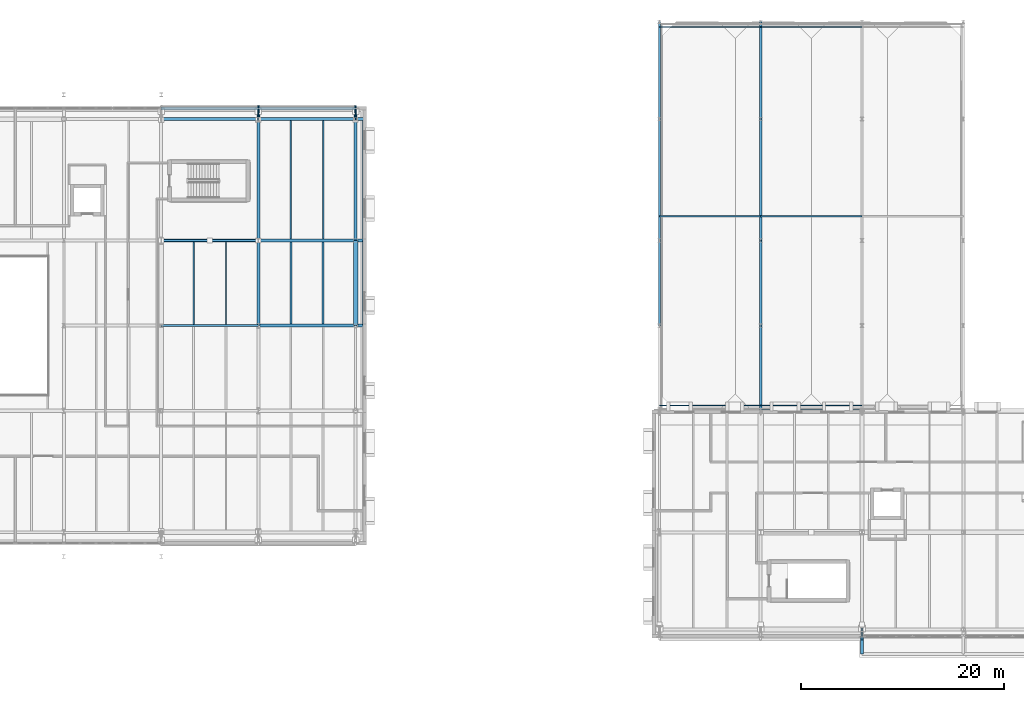
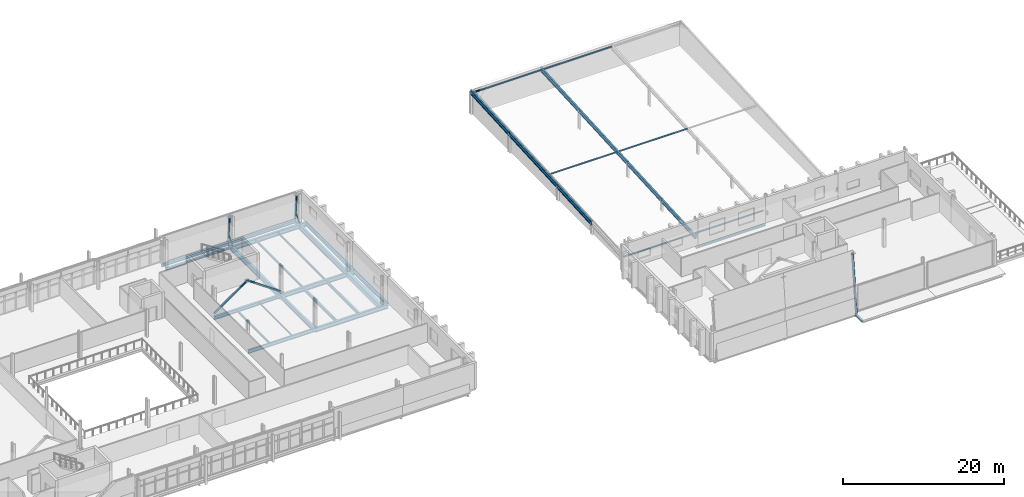
# One storey, part 25 of 57: 29 beams, 13 members.
"""IFC4 building model written with IfcOpenShell, lengths in metres."""

from ifc_helpers import new_model, si_unit, direction, frame, origin, origin_2d, place, context, subcontext, project, spatial, rectangle, hollow_rectangle, i_section, extrude, material, material_profile, profile_set, type_object, element, save


model = new_model("IFC4")

# Units and contexts
model_context = context("Model", 3, precision=1e-05, world=origin(), true_north=direction((0.0, 1.0)))
body_context = subcontext(model_context, "Body", "Model", "MODEL_VIEW")
ifc_project = project(units=[si_unit("LENGTHUNIT", "METRE"), si_unit("AREAUNIT", "SQUARE_METRE"), si_unit("VOLUMEUNIT", "CUBIC_METRE"), si_unit("PLANEANGLEUNIT", "RADIAN"), si_unit("MASSUNIT", "GRAM", prefix="KILO")], contexts=[model_context])

# Site, building, storey
site_placement = place(None, origin())
site = spatial("IfcSite", under=ifc_project, at=site_placement, CompositionType="ELEMENT")
building_placement = place(site_placement, origin())
building = spatial("IfcBuilding", under=site, at=building_placement, Name="Zereglee Splitstone Museum", CompositionType="ELEMENT")
storey_placement = place(building_placement, frame((0.0, 0.0, 17.10009765625)))
storey = spatial("IfcBuildingStorey", under=building, at=storey_placement, Name="L03", CompositionType="ELEMENT", Elevation=17.10009765625)

# Members
ifc_material_1 = material(Name="Steel S355J2H", Category="steel")
ifc_material_profile_1 = material_profile(ifc_material_1, hollow_rectangle(XDim=0.199951171875, YDim=0.199951171875, WallThickness=0.010009765625, at=origin_2d()), Name="SHS 200x200x10")
ifc_profile_set_1 = profile_set([ifc_material_profile_1], Name="Steel S355J2H")
member_type_1 = type_object("IfcMemberType", Name="TB-07", PredefinedType="BRACE", material=ifc_profile_set_1)
for number, where, z_axis, x_axis, name in (
    (1, (126.0, 38.39990234375, 0.119873046875), (0.819226047866, 0.0, 0.573470733776), (0.0, 1.0, 0.0), "Lateral Braced Frame Chevron L03-013A"),
    (2, (135.60009765625, 38.39990234375, 0.119873046875), (-0.819226047866, 0.0, 0.573470733776), (0.0, -1.0, 0.0), "Lateral Braced Frame Chevron L03-013B"),
):
    element("IfcMember", number, at=place(storey_placement, frame(where, z_axis=z_axis, x_axis=x_axis)), inside=storey, type_object=member_type_1, Name=name, PredefinedType="BRACE", context=body_context, shape_type="SweptSolid", body=[
        extrude(hollow_rectangle(XDim=0.199951171875, YDim=0.199951171875, WallThickness=0.010009765625, at=origin_2d()), origin(), (0.0, 0.0, 1.0), 5.859130859375),
    ])

# Beams
ifc_material_2 = material(Name="Steel S355J2", Category="steel")
ifc_material_profile_2 = material_profile(ifc_material_2, i_section(OverallWidth=0.300048828125, OverallDepth=0.5, WebThickness=0.014404296875, FlangeThickness=0.028076171875, FilletRadius=0.027099609375, at=origin_2d()), Name="HE 500 B")
ifc_profile_set_2 = profile_set([ifc_material_profile_2], Name="Steel S355J2")
beam_type_1 = type_object("IfcBeamType", Name="BG-12", PredefinedType="BEAM", material=ifc_profile_set_2)
beam_1_placement = place(storey_placement, frame((126.0, 38.39990234375, -0.530029296875), z_axis=(1.0, 0.0, 0.0), x_axis=(0.0, 1.0, 0.0)))
element("IfcBeam", 3, at=beam_1_placement, inside=storey, type_object=beam_type_1, Name="Primary Girder L03 E (126.0-135.6)", PredefinedType="BEAM", context=body_context, shape_type="SweptSolid", body=[
    extrude(i_section(OverallWidth=0.300048828125, OverallDepth=0.5, WebThickness=0.014404296875, FlangeThickness=0.028076171875, FilletRadius=0.027099609375, at=origin_2d()), origin(), (0.0, 0.0, 1.0), 9.60009765625),
])
ifc_material_profile_3 = material_profile(ifc_material_2, i_section(OverallWidth=0.300048828125, OverallDepth=0.64990234375, WebThickness=0.01611328125, FlangeThickness=0.031005859375, FilletRadius=0.027099609375, at=origin_2d()), Name="HE 650 B")
ifc_profile_set_3 = profile_set([ifc_material_profile_3], Name="Steel S355J2")
beam_type_2 = type_object("IfcBeamType", Name="BG-09", PredefinedType="BEAM", material=ifc_profile_set_3)
for number, where, z_axis, x_axis, name in (
    (4, (135.60009765625, 30.0, -0.60498046875), (1.0, 0.0, 0.0), (0.0, 1.0, 0.0), "Primary Girder L03 D (135.6-146.1)"),
    (5, (135.60009765625, 38.39990234375, -0.60498046875), (1.0, 0.0, 0.0), (0.0, 1.0, 0.0), "Primary Girder L03 E (135.6-146.1)"),
    (6, (135.60009765625, 50.39990234375, -0.60498046875), (1.0, 0.0, 0.0), (0.0, 1.0, 0.0), "Primary Girder L03 F (135.6-146.1)"),
):
    element("IfcBeam", number, at=place(storey_placement, frame(where, z_axis=z_axis, x_axis=x_axis)), inside=storey, type_object=beam_type_2, Name=name, PredefinedType="BEAM", context=body_context, shape_type="SweptSolid", body=[
        extrude(i_section(OverallWidth=0.300048828125, OverallDepth=0.64990234375, WebThickness=0.01611328125, FlangeThickness=0.031005859375, FilletRadius=0.027099609375, at=origin_2d()), origin(), (0.0, 0.0, 1.0), 10.449951171875),
    ])
beam_2_placement = place(storey_placement, frame((135.60009765625, 30.0, -0.60498046875), z_axis=(0.0, 1.0, 0.0), x_axis=(-1.0, 0.0, 0.0)))
element("IfcBeam", 7, at=beam_2_placement, inside=storey, type_object=beam_type_2, Name="Primary Girder L03 16 (30.0-38.4)", PredefinedType="BEAM", context=body_context, shape_type="SweptSolid", body=[
    extrude(i_section(OverallWidth=0.300048828125, OverallDepth=0.64990234375, WebThickness=0.01611328125, FlangeThickness=0.031005859375, FilletRadius=0.027099609375, at=origin_2d()), origin(), (0.0, 0.0, 1.0), 8.39990234375),
])
ifc_material_profile_4 = material_profile(ifc_material_2, i_section(OverallWidth=0.300048828125, OverallDepth=0.800048828125, WebThickness=0.017578125, FlangeThickness=0.032958984375, FilletRadius=0.030029296875, at=origin_2d()), Name="HE 800 B")
ifc_profile_set_4 = profile_set([ifc_material_profile_4], Name="Steel S355J2")
beam_type_3 = type_object("IfcBeamType", Name="BG-07", PredefinedType="BEAM", material=ifc_profile_set_4)
for number, where, z_axis, x_axis, name in (
    (8, (135.60009765625, 38.39990234375, -0.68017578125), (0.0, 1.0, 0.0), (-1.0, 0.0, 0.0), "Primary Girder L03 16 (38.4-51.5)"),
    (9, (145.199951171875, 38.39990234375, -0.68017578125), (0.0, 1.0, 0.0), (-1.0, 0.0, 0.0), "Primary Girder L03 17 (38.4-51.5)"),
):
    element("IfcBeam", number, at=place(storey_placement, frame(where, z_axis=z_axis, x_axis=x_axis)), inside=storey, type_object=beam_type_3, Name=name, PredefinedType="BEAM", context=body_context, shape_type="SweptSolid", body=[
        extrude(i_section(OverallWidth=0.300048828125, OverallDepth=0.800048828125, WebThickness=0.017578125, FlangeThickness=0.032958984375, FilletRadius=0.030029296875, at=origin_2d()), origin(), (0.0, 0.0, 1.0), 13.050048828125),
    ])
ifc_material_profile_5 = material_profile(ifc_material_2, i_section(OverallWidth=0.2099609375, OverallDepth=0.550048828125, WebThickness=0.010986328125, FlangeThickness=0.01708984375, FilletRadius=0.02392578125, at=origin_2d()), Name="IPE 550")
ifc_profile_set_5 = profile_set([ifc_material_profile_5], Name="Steel S355J2")
beam_type_4 = type_object("IfcBeamType", Name="BG-16", PredefinedType="BEAM", material=ifc_profile_set_5)
beam_3_placement = place(storey_placement, frame((126.0, 30.0, -0.55517578125), z_axis=(1.0, 0.0, 0.0), x_axis=(0.0, 1.0, 0.0)))
element("IfcBeam", 10, at=beam_3_placement, inside=storey, type_object=beam_type_4, Name="Primary Girder L03 D (126.0-135.6)", PredefinedType="BEAM", context=body_context, shape_type="SweptSolid", body=[
    extrude(i_section(OverallWidth=0.2099609375, OverallDepth=0.550048828125, WebThickness=0.010986328125, FlangeThickness=0.01708984375, FilletRadius=0.02392578125, at=origin_2d()), origin(), (0.0, 0.0, 1.0), 9.60009765625),
])
ifc_material_profile_6 = material_profile(ifc_material_2, i_section(OverallWidth=0.1201171875, OverallDepth=0.239990234375, WebThickness=0.006103515625, FlangeThickness=0.009765625, FilletRadius=0.014892578125, at=origin_2d()), Name="IPE 240")
ifc_profile_set_6 = profile_set([ifc_material_profile_6], Name="Steel S355J2")
beam_type_5 = type_object("IfcBeamType", Name="BJ-07", PredefinedType="JOIST", material=ifc_profile_set_6)
beam_4_placement = place(storey_placement, frame((132.39990234375, 30.10498046875, -0.400146484375), z_axis=(0.0, 1.0, 0.0), x_axis=(-1.0, 0.0, 0.0)))
element("IfcBeam", 11, at=beam_4_placement, inside=storey, type_object=beam_type_5, Name="Secondary Floor Joist L03-1371", PredefinedType="JOIST", context=body_context, shape_type="SweptSolid", body=[
    extrude(i_section(OverallWidth=0.1201171875, OverallDepth=0.239990234375, WebThickness=0.006103515625, FlangeThickness=0.009765625, FilletRadius=0.014892578125, at=origin_2d()), origin(), (0.0, 0.0, 1.0), 8.14501953125),
])
ifc_material_profile_7 = material_profile(ifc_material_2, i_section(OverallWidth=0.14990234375, OverallDepth=0.300048828125, WebThickness=0.007080078125, FlangeThickness=0.0107421875, FilletRadius=0.014892578125, at=origin_2d()), Name="IPE 300")
ifc_profile_set_7 = profile_set([ifc_material_profile_7], Name="Steel S355J2")
beam_type_6 = type_object("IfcBeamType", Name="BJ-06", PredefinedType="JOIST", material=ifc_profile_set_7)
beam_5_placement = place(storey_placement, frame((129.199951171875, 30.10498046875, -0.43017578125), z_axis=(0.0, 1.0, 0.0), x_axis=(-1.0, 0.0, 0.0)))
element("IfcBeam", 12, at=beam_5_placement, inside=storey, type_object=beam_type_6, Name="Secondary Floor Joist L03-1370", PredefinedType="JOIST", context=body_context, shape_type="SweptSolid", body=[
    extrude(i_section(OverallWidth=0.14990234375, OverallDepth=0.300048828125, WebThickness=0.007080078125, FlangeThickness=0.0107421875, FilletRadius=0.014892578125, at=origin_2d()), origin(), (0.0, 0.0, 1.0), 8.14501953125),
])
beam_6_placement = place(storey_placement, frame((142.0, 38.550048828125, -0.43017578125), z_axis=(0.0, 1.0, 0.0), x_axis=(-1.0, 0.0, 0.0)))
element("IfcBeam", 13, at=beam_6_placement, inside=storey, type_object=beam_type_6, Name="Secondary Floor Joist L03-1384", PredefinedType="JOIST", context=body_context, shape_type="SweptSolid", body=[
    extrude(i_section(OverallWidth=0.14990234375, OverallDepth=0.300048828125, WebThickness=0.007080078125, FlangeThickness=0.0107421875, FilletRadius=0.014892578125, at=origin_2d()), origin(), (0.0, 0.0, 1.0), 11.699951171875),
])
ifc_material_profile_8 = material_profile(ifc_material_2, i_section(OverallWidth=0.159912109375, OverallDepth=0.330078125, WebThickness=0.007568359375, FlangeThickness=0.011474609375, FilletRadius=0.01806640625, at=origin_2d()), Name="IPE 330")
ifc_profile_set_8 = profile_set([ifc_material_profile_8], Name="Steel S355J2")
beam_type_7 = type_object("IfcBeamType", Name="BJ-05", PredefinedType="JOIST", material=ifc_profile_set_8)
beam_7_placement = place(storey_placement, frame((138.800048828125, 38.550048828125, -0.445068359375), z_axis=(0.0, 1.0, 0.0), x_axis=(-1.0, 0.0, 0.0)))
element("IfcBeam", 14, at=beam_7_placement, inside=storey, type_object=beam_type_7, Name="Secondary Floor Joist L03-1383", PredefinedType="JOIST", context=body_context, shape_type="SweptSolid", body=[
    extrude(i_section(OverallWidth=0.159912109375, OverallDepth=0.330078125, WebThickness=0.007568359375, FlangeThickness=0.011474609375, FilletRadius=0.01806640625, at=origin_2d()), origin(), (0.0, 0.0, 1.0), 11.699951171875),
])
ifc_material_profile_9 = material_profile(ifc_material_2, i_section(OverallWidth=0.18994140625, OverallDepth=0.449951171875, WebThickness=0.009521484375, FlangeThickness=0.0146484375, FilletRadius=0.02099609375, at=origin_2d()), Name="IPE 450")
ifc_profile_set_9 = profile_set([ifc_material_profile_9], Name="Steel S355J2")
beam_type_8 = type_object("IfcBeamType", Name="BJ-02", PredefinedType="JOIST", material=ifc_profile_set_9)
beam_8_placement = place(storey_placement, frame((142.0, 30.14990234375, -0.505126953125), z_axis=(0.0, 1.0, 0.0), x_axis=(-1.0, 0.0, 0.0)))
element("IfcBeam", 15, at=beam_8_placement, inside=storey, type_object=beam_type_8, Name="Secondary Floor Joist L03-1373", PredefinedType="JOIST", context=body_context, shape_type="SweptSolid", body=[
    extrude(i_section(OverallWidth=0.18994140625, OverallDepth=0.449951171875, WebThickness=0.009521484375, FlangeThickness=0.0146484375, FilletRadius=0.02099609375, at=origin_2d()), origin(), (0.0, 0.0, 1.0), 8.10009765625),
])
ifc_material_profile_10 = material_profile(ifc_material_2, i_section(OverallWidth=0.199951171875, OverallDepth=0.5, WebThickness=0.01025390625, FlangeThickness=0.01611328125, FilletRadius=0.02099609375, at=origin_2d()), Name="IPE 500")
ifc_profile_set_10 = profile_set([ifc_material_profile_10], Name="Steel S355J2")
beam_type_9 = type_object("IfcBeamType", Name="BJ-01", PredefinedType="JOIST", material=ifc_profile_set_10)
beam_9_placement = place(storey_placement, frame((138.800048828125, 30.14990234375, -0.530029296875), z_axis=(0.0, 1.0, 0.0), x_axis=(-1.0, 0.0, 0.0)))
element("IfcBeam", 16, at=beam_9_placement, inside=storey, type_object=beam_type_9, Name="Secondary Floor Joist L03-1372", PredefinedType="JOIST", context=body_context, shape_type="SweptSolid", body=[
    extrude(i_section(OverallWidth=0.199951171875, OverallDepth=0.5, WebThickness=0.01025390625, FlangeThickness=0.01611328125, FilletRadius=0.02099609375, at=origin_2d()), origin(), (0.0, 0.0, 1.0), 8.10009765625),
])

# Members
ifc_material_profile_11 = material_profile(ifc_material_2, i_section(OverallWidth=0.110107421875, OverallDepth=0.219970703125, WebThickness=0.005859375, FlangeThickness=0.00927734375, FilletRadius=0.011962890625, at=origin_2d()), Name="IPE 220")
ifc_profile_set_11 = profile_set([ifc_material_profile_11], Name="Steel S355J2")
member_type_2 = type_object("IfcMemberType", Name="PR-04", PredefinedType="PURLIN", material=ifc_profile_set_11)
for number, where, z_axis, x_axis, name in (
    (17, (175.199951171875, 22.10009765625, 1.3740234375), (1.0, 0.0, 0.0), (0.0, 1.0, 0.0), "Roof Purlin RF-V4 (175.2-185.2)"),
    (18, (175.199951171875, 40.800048828125, 2.4453125), (1.0, 0.0, 0.0), (0.0, 1.0, 0.0), "Roof Purlin RF-V4 (175.2-185.2)"),
    (19, (175.199951171875, 59.5, 3.516845703125), (1.0, 0.0, 0.0), (0.0, 1.0, 0.0), "Roof Purlin RF-V4 (175.2-185.2)"),
    (20, (185.199951171875, 22.10009765625, 1.3740234375), (1.0, 0.0, 0.0), (0.0, 1.0, 0.0), "Roof Purlin RF-V4 (185.2-195.2)"),
    (21, (185.199951171875, 40.800048828125, 2.4453125), (1.0, 0.0, 0.0), (0.0, 1.0, 0.0), "Roof Purlin RF-V4 (185.2-195.2)"),
    (22, (185.199951171875, 59.5, 3.516845703125), (1.0, 0.0, 0.0), (0.0, 1.0, 0.0), "Roof Purlin RF-V4 (185.2-195.2)"),
):
    element("IfcMember", number, at=place(storey_placement, frame(where, z_axis=z_axis, x_axis=x_axis)), inside=storey, type_object=member_type_2, Name=name, PredefinedType="PURLIN", context=body_context, shape_type="SweptSolid", body=[
        extrude(i_section(OverallWidth=0.110107421875, OverallDepth=0.219970703125, WebThickness=0.005859375, FlangeThickness=0.00927734375, FilletRadius=0.011962890625, at=origin_2d()), origin(), (0.0, 0.0, 1.0), 10.0),
    ])

# Beams
ifc_material_profile_12 = material_profile(ifc_material_2, i_section(OverallWidth=0.219970703125, OverallDepth=0.60009765625, WebThickness=0.011962890625, FlangeThickness=0.01904296875, FilletRadius=0.02392578125, at=origin_2d()), Name="IPE 600")
ifc_profile_set_12 = profile_set([ifc_material_profile_12], Name="Steel S355J2")
beam_type_10 = type_object("IfcBeamType", Name="RR-01", PredefinedType="BEAM", material=ifc_profile_set_12)
beam_10_placement = place(storey_placement, frame((175.199951171875, 30.0, 1.640380859375), z_axis=(0.0, 0.998363155006, 0.05719275064), x_axis=(-1.0, 0.0, 0.0)))
element("IfcBeam", 23, at=beam_10_placement, inside=storey, type_object=beam_type_10, Name="Sloped Roof Girder RF-V4 X=175.2 (30.0-38.4)", PredefinedType="BEAM", context=body_context, shape_type="SweptSolid", body=[
    extrude(i_section(OverallWidth=0.219970703125, OverallDepth=0.60009765625, WebThickness=0.011962890625, FlangeThickness=0.01904296875, FilletRadius=0.02392578125, at=origin_2d()), origin(), (0.0, 0.0, 1.0), 8.41357421875),
])
beam_11_placement = place(storey_placement, frame((175.199951171875, 38.39990234375, 2.12158203125), z_axis=(0.0, 0.998362861592, 0.057197872279), x_axis=(-1.0, 0.0, 0.0)))
element("IfcBeam", 24, at=beam_11_placement, inside=storey, type_object=beam_type_10, Name="Sloped Roof Girder RF-V4 X=175.2 (38.4-50.4)", PredefinedType="BEAM", context=body_context, shape_type="SweptSolid", body=[
    extrude(i_section(OverallWidth=0.219970703125, OverallDepth=0.60009765625, WebThickness=0.011962890625, FlangeThickness=0.01904296875, FilletRadius=0.02392578125, at=origin_2d()), origin(), (0.0, 0.0, 1.0), 12.019775390625),
])
beam_12_placement = place(storey_placement, frame((175.199951171875, 50.39990234375, 2.80908203125), z_axis=(0.0, 0.998362604839, 0.057202353611), x_axis=(-1.0, 0.0, 0.0)))
element("IfcBeam", 25, at=beam_12_placement, inside=storey, type_object=beam_type_10, Name="Sloped Roof Girder RF-V4 X=175.2 (50.4-60.0)", PredefinedType="BEAM", context=body_context, shape_type="SweptSolid", body=[
    extrude(i_section(OverallWidth=0.219970703125, OverallDepth=0.60009765625, WebThickness=0.011962890625, FlangeThickness=0.01904296875, FilletRadius=0.02392578125, at=origin_2d()), origin(), (0.0, 0.0, 1.0), 9.61572265625),
])
for number, where, z_axis, x_axis, name in (
    (26, (185.199951171875, 21.60009765625, 1.1591796875), (0.0, 0.998363155006, 0.05719275064), (-1.0, 0.0, 0.0), "Sloped Roof Girder RF-V4 X=185.2 (21.6-30.0)"),
    (27, (185.199951171875, 30.0, 1.640380859375), (0.0, 0.998363155006, 0.05719275064), (-1.0, 0.0, 0.0), "Sloped Roof Girder RF-V4 X=185.2 (30.0-38.4)"),
):
    element("IfcBeam", number, at=place(storey_placement, frame(where, z_axis=z_axis, x_axis=x_axis)), inside=storey, type_object=beam_type_10, Name=name, PredefinedType="BEAM", context=body_context, shape_type="SweptSolid", body=[
        extrude(i_section(OverallWidth=0.219970703125, OverallDepth=0.60009765625, WebThickness=0.011962890625, FlangeThickness=0.01904296875, FilletRadius=0.02392578125, at=origin_2d()), origin(), (0.0, 0.0, 1.0), 8.41357421875),
    ])
beam_13_placement = place(storey_placement, frame((185.199951171875, 38.39990234375, 2.12158203125), z_axis=(0.0, 0.998362861592, 0.057197872279), x_axis=(-1.0, 0.0, 0.0)))
element("IfcBeam", 28, at=beam_13_placement, inside=storey, type_object=beam_type_10, Name="Sloped Roof Girder RF-V4 X=185.2 (38.4-50.4)", PredefinedType="BEAM", context=body_context, shape_type="SweptSolid", body=[
    extrude(i_section(OverallWidth=0.219970703125, OverallDepth=0.60009765625, WebThickness=0.011962890625, FlangeThickness=0.01904296875, FilletRadius=0.02392578125, at=origin_2d()), origin(), (0.0, 0.0, 1.0), 12.019775390625),
])
beam_14_placement = place(storey_placement, frame((185.199951171875, 50.39990234375, 2.80908203125), z_axis=(0.0, 0.998362604839, 0.057202353611), x_axis=(-1.0, 0.0, 0.0)))
element("IfcBeam", 29, at=beam_14_placement, inside=storey, type_object=beam_type_10, Name="Sloped Roof Girder RF-V4 X=185.2 (50.4-60.0)", PredefinedType="BEAM", context=body_context, shape_type="SweptSolid", body=[
    extrude(i_section(OverallWidth=0.219970703125, OverallDepth=0.60009765625, WebThickness=0.011962890625, FlangeThickness=0.01904296875, FilletRadius=0.02392578125, at=origin_2d()), origin(), (0.0, 0.0, 1.0), 9.61572265625),
])
ifc_material_profile_13 = material_profile(ifc_material_2, i_section(OverallWidth=0.280029296875, OverallDepth=0.280029296875, WebThickness=0.010498046875, FlangeThickness=0.01806640625, FilletRadius=0.02392578125, at=origin_2d()), Name="HE 280 B")
ifc_profile_set_13 = profile_set([ifc_material_profile_13], Name="Steel S355J2")
beam_type_11 = type_object("IfcBeamType", Name="SP-03", PredefinedType="SPANDREL", material=ifc_profile_set_13)
beam_15_placement = place(storey_placement, frame((185.199951171875, 21.60009765625, -0.420166015625), z_axis=(1.0, 0.0, 0.0), x_axis=(0.0, 1.0, 0.0)))
element("IfcBeam", 30, at=beam_15_placement, inside=storey, type_object=beam_type_11, Name="Primary Girder L03 C (185.2-195.2)", PredefinedType="SPANDREL", context=body_context, shape_type="SweptSolid", body=[
    extrude(i_section(OverallWidth=0.280029296875, OverallDepth=0.280029296875, WebThickness=0.010498046875, FlangeThickness=0.01806640625, FilletRadius=0.02392578125, at=origin_2d()), origin(), (0.0, 0.0, 1.0), 10.0),
])
beam_16_placement = place(storey_placement, frame((126.0, 50.39990234375, -0.420166015625), z_axis=(1.0, 0.0, 0.0), x_axis=(0.0, 1.0, 0.0)))
element("IfcBeam", 31, at=beam_16_placement, inside=storey, type_object=beam_type_11, Name="Primary Girder L03 F (126.0-135.6)", PredefinedType="SPANDREL", context=body_context, shape_type="SweptSolid", body=[
    extrude(i_section(OverallWidth=0.280029296875, OverallDepth=0.280029296875, WebThickness=0.010498046875, FlangeThickness=0.01806640625, FilletRadius=0.02392578125, at=origin_2d()), origin(), (0.0, 0.0, 1.0), 9.60009765625),
])
beam_17_placement = place(storey_placement, frame((195.199951171875, -2.39990234375, -0.505126953125), z_axis=(0.0, 1.0, 0.0), x_axis=(-1.0, 0.0, 0.0)))
element("IfcBeam", 32, at=beam_17_placement, inside=storey, type_object=beam_type_11, Name="Pishtaq Return Tie Beam PSQ-SV3-1 (195.2)", PredefinedType="SPANDREL", context=body_context, shape_type="SweptSolid", body=[
    extrude(i_section(OverallWidth=0.280029296875, OverallDepth=0.280029296875, WebThickness=0.010498046875, FlangeThickness=0.01806640625, FilletRadius=0.02392578125, at=origin_2d()), origin(), (0.0, 0.0, 1.0), 1.75),
])
ifc_material_profile_14 = material_profile(ifc_material_2, i_section(OverallWidth=0.300048828125, OverallDepth=0.449951171875, WebThickness=0.013916015625, FlangeThickness=0.02587890625, FilletRadius=0.027099609375, at=origin_2d()), Name="HE 450 B")
ifc_profile_set_14 = profile_set([ifc_material_profile_14], Name="Steel S355J2")
beam_type_12 = type_object("IfcBeamType", Name="SP-02", PredefinedType="SPANDREL", material=ifc_profile_set_14)
beam_18_placement = place(storey_placement, frame((126.0, 51.449951171875, -0.505126953125), z_axis=(1.0, 0.0, 0.0), x_axis=(0.0, 1.0, 0.0)))
element("IfcBeam", 33, at=beam_18_placement, inside=storey, type_object=beam_type_12, Name="Hovering Soffit Spandrel L03 (126.0-135.6)", PredefinedType="SPANDREL", context=body_context, shape_type="SweptSolid", body=[
    extrude(i_section(OverallWidth=0.300048828125, OverallDepth=0.449951171875, WebThickness=0.013916015625, FlangeThickness=0.02587890625, FilletRadius=0.027099609375, at=origin_2d()), origin(), (0.0, 0.0, 1.0), 9.60009765625),
])
beam_19_placement = place(storey_placement, frame((135.60009765625, 51.449951171875, -0.505126953125), z_axis=(1.0, 0.0, 0.0), x_axis=(0.0, 1.0, 0.0)))
element("IfcBeam", 34, at=beam_19_placement, inside=storey, type_object=beam_type_12, Name="Hovering Soffit Spandrel L03 (135.6-145.2)", PredefinedType="SPANDREL", context=body_context, shape_type="SweptSolid", body=[
    extrude(i_section(OverallWidth=0.300048828125, OverallDepth=0.449951171875, WebThickness=0.013916015625, FlangeThickness=0.02587890625, FilletRadius=0.027099609375, at=origin_2d()), origin(), (0.0, 0.0, 1.0), 9.599853515625),
])
beam_20_placement = place(storey_placement, frame((146.050048828125, 30.0, -0.505126953125), z_axis=(0.0, 1.0, 0.0), x_axis=(-1.0, 0.0, 0.0)))
element("IfcBeam", 35, at=beam_20_placement, inside=storey, type_object=beam_type_12, Name="Hovering Soffit Spandrel L03 Y=(30.0-38.4)", PredefinedType="SPANDREL", context=body_context, shape_type="SweptSolid", body=[
    extrude(i_section(OverallWidth=0.300048828125, OverallDepth=0.449951171875, WebThickness=0.013916015625, FlangeThickness=0.02587890625, FilletRadius=0.027099609375, at=origin_2d()), origin(), (0.0, 0.0, 1.0), 8.39990234375),
])
beam_21_placement = place(storey_placement, frame((146.050048828125, 38.39990234375, -0.505126953125), z_axis=(0.0, 1.0, 0.0), x_axis=(-1.0, 0.0, 0.0)))
element("IfcBeam", 36, at=beam_21_placement, inside=storey, type_object=beam_type_12, Name="Hovering Soffit Spandrel L03 Y=(38.4-50.4)", PredefinedType="SPANDREL", context=body_context, shape_type="SweptSolid", body=[
    extrude(i_section(OverallWidth=0.300048828125, OverallDepth=0.449951171875, WebThickness=0.013916015625, FlangeThickness=0.02587890625, FilletRadius=0.027099609375, at=origin_2d()), origin(), (0.0, 0.0, 1.0), 12.0),
])
ifc_material_3 = material(Name="Concrete C40/50", Category="concrete")
ifc_material_profile_15 = material_profile(ifc_material_3, rectangle(XDim=0.449951171875, YDim=0.75, at=origin_2d()), Name="RC 450x750")
ifc_profile_set_15 = profile_set([ifc_material_profile_15], Name="Concrete C40/50")
beam_type_13 = type_object("IfcBeamType", Name="SP-01", PredefinedType="SPANDREL", material=ifc_profile_set_15)
beam_22_placement = place(storey_placement, frame((145.199951171875, 30.0, -0.655029296875), z_axis=(0.0, 1.0, 0.0), x_axis=(-1.0, 0.0, 0.0)))
element("IfcBeam", 37, at=beam_22_placement, inside=storey, type_object=beam_type_13, Name="Primary Girder L03 17 (30.0-38.4)", PredefinedType="SPANDREL", context=body_context, shape_type="SweptSolid", body=[
    extrude(rectangle(XDim=0.449951171875, YDim=0.75, at=origin_2d()), origin(), (0.0, 0.0, 1.0), 8.39990234375),
])

# Members
ifc_material_profile_16 = material_profile(ifc_material_1, hollow_rectangle(XDim=0.199951171875, YDim=0.300048828125, WallThickness=0.012451171875, at=origin_2d()), Name="RHS 300x200x12.5")
ifc_profile_set_16 = profile_set([ifc_material_profile_16], Name="Steel S355J2H")
member_type_3 = type_object("IfcMemberType", Name="FS-R1", PredefinedType="STRUT", material=ifc_profile_set_16)
member_placement = place(storey_placement, frame((195.199951171875, -0.906982421875, -0.530029296875), z_axis=(0.0, 0.111967153288, 0.993711908243), x_axis=(-1.0, 0.0, 0.0)))
element("IfcMember", 38, at=member_placement, inside=storey, type_object=member_type_3, Name="Split-Rock Continuous Facet Strut FH-V3S L03-03", PredefinedType="STRUT", context=body_context, shape_type="SweptSolid", body=[
    extrude(hollow_rectangle(XDim=0.199951171875, YDim=0.300048828125, WallThickness=0.012451171875, at=origin_2d()), origin(), (0.0, 0.0, 1.0), 8.916015625),
])
ifc_material_profile_17 = material_profile(ifc_material_1, hollow_rectangle(XDim=0.14990234375, YDim=0.35009765625, WallThickness=0.012451171875, at=origin_2d()), Name="RHS 350x150x12.5")
ifc_profile_set_17 = profile_set([ifc_material_profile_17], Name="Steel S355J2H")
member_type_4 = type_object("IfcMemberType", Name="FS-R0", PredefinedType="STRUT", material=ifc_profile_set_17)
for number, where, z_axis, x_axis, name in (
    (39, (135.60009765625, 51.56201171875, -0.530029296875), (0.0, -0.090914953193, 0.995858660296), (1.0, 0.0, 0.0), "Split-Rock Continuous Facet Strut FH-V2NE L03-02"),
    (40, (145.199951171875, 51.56201171875, -0.530029296875), (0.0, -0.090914953193, 0.995858660296), (1.0, 0.0, 0.0), "Split-Rock Continuous Facet Strut FH-V2NE L03-03"),
):
    element("IfcMember", number, at=place(storey_placement, frame(where, z_axis=z_axis, x_axis=x_axis)), inside=storey, type_object=member_type_4, Name=name, PredefinedType="STRUT", context=body_context, shape_type="SweptSolid", body=[
        extrude(hollow_rectangle(XDim=0.14990234375, YDim=0.35009765625, WallThickness=0.012451171875, at=origin_2d()), origin(), (0.0, 0.0, 1.0), 4.237548828125),
    ])
ifc_material_profile_18 = material_profile(ifc_material_1, hollow_rectangle(XDim=0.10009765625, YDim=0.179931640625, WallThickness=0.008056640625, at=origin_2d()), Name="RHS 180x100x8")
ifc_profile_set_18 = profile_set([ifc_material_profile_18], Name="Steel S355J2H")
member_type_5 = type_object("IfcMemberType", Name="FS-T2", PredefinedType="STRUT", material=ifc_profile_set_18)
for number, where, z_axis, x_axis, name in (
    (41, (135.60009765625, 50.300048828125, -0.239990234375), (0.0, 0.697696119972, 0.71639383315), (-1.0, 0.0, 0.0), "Facet Tie-Back Strut FH-V2NE L03-02"),
    (42, (145.199951171875, 50.300048828125, -0.239990234375), (0.0, 0.697696119972, 0.71639383315), (-1.0, 0.0, 0.0), "Facet Tie-Back Strut FH-V2NE L03-03"),
):
    element("IfcMember", number, at=place(storey_placement, frame(where, z_axis=z_axis, x_axis=x_axis)), inside=storey, type_object=member_type_5, Name=name, PredefinedType="STRUT", context=body_context, shape_type="SweptSolid", body=[
        extrude(hollow_rectangle(XDim=0.10009765625, YDim=0.179931640625, WallThickness=0.008056640625, at=origin_2d()), origin(), (0.0, 0.0, 1.0), 1.619140625),
    ])

save(model, "model.ifc")
